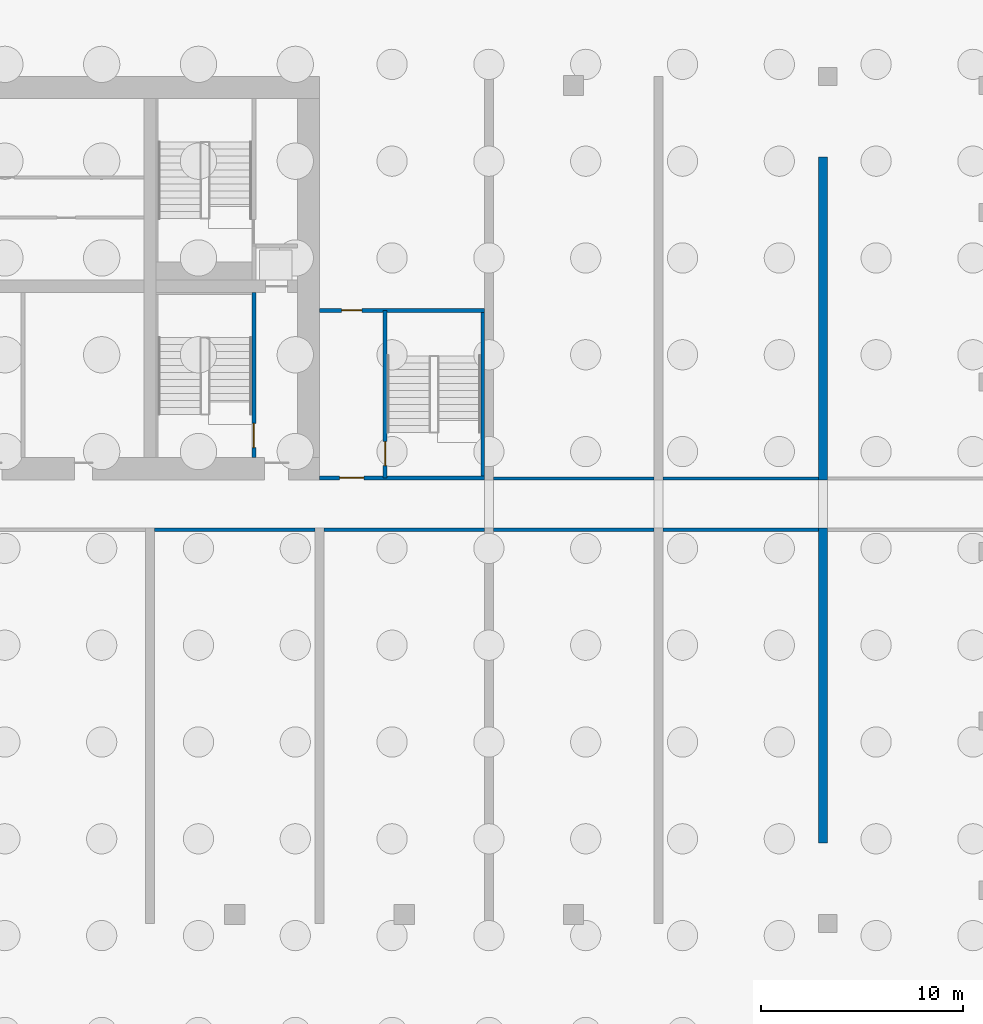
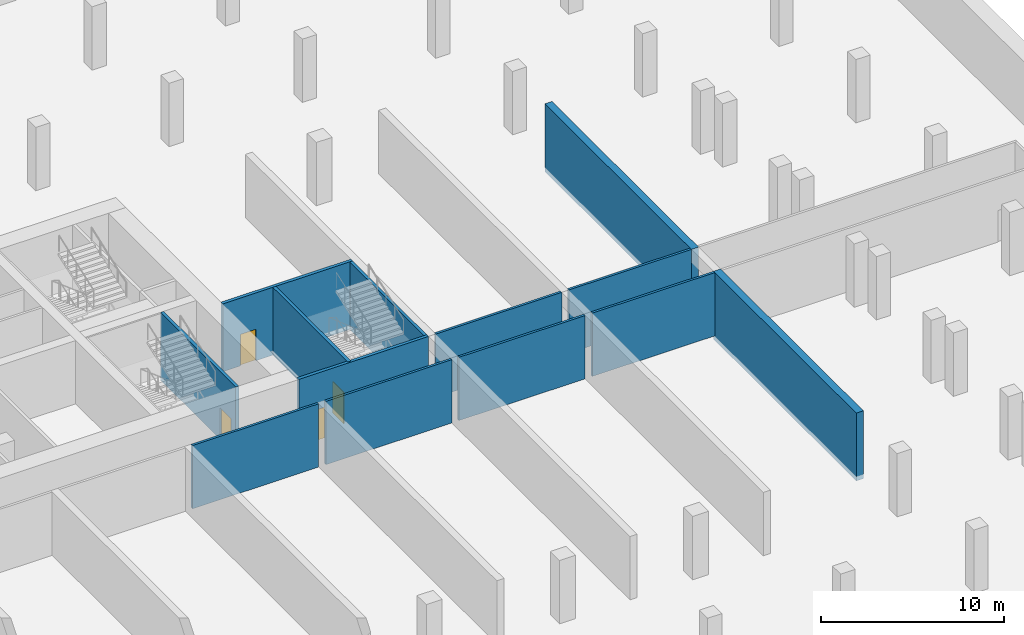
# One storey, part 8 of 17: 13 walls, 4 doors, 4 openings.
"""IFC4 building model written with IfcOpenShell, lengths in metres."""

from ifc_helpers import new_model, si_unit, direction, frame, frame_2d, origin, place, context, subcontext, project, spatial, rectangle, extrude, source, transform, mapped, material, layer, layer_set, type_object, element, fill, save


model = new_model("IFC4")

# Units and contexts
model_context = context("Model", 3, precision=1e-05, world=origin(), true_north=direction((0.0, 1.0)))
body_context = subcontext(model_context, "Body", "Model", "MODEL_VIEW")
ifc_project = project(units=[si_unit("LENGTHUNIT", "METRE"), si_unit("AREAUNIT", "SQUARE_METRE"), si_unit("VOLUMEUNIT", "CUBIC_METRE"), si_unit("PLANEANGLEUNIT", "RADIAN"), si_unit("MASSUNIT", "GRAM", prefix="KILO")], contexts=[model_context])

# Site, building, storey
site_placement = place(None, origin())
site = spatial("IfcSite", under=ifc_project, at=site_placement, CompositionType="ELEMENT")
building_placement = place(site_placement, origin())
building = spatial("IfcBuilding", under=site, at=building_placement, Name="Vanashikhar Sky Hotel", CompositionType="ELEMENT")
storey_placement = place(building_placement, frame((0.0, 0.0, -13.5)))
storey = spatial("IfcBuildingStorey", under=building, at=storey_placement, Name="B3", CompositionType="ELEMENT", Elevation=-13.5)

# Walls
ifc_material_1 = material(Name="Concrete M80", Category="concrete")
ifc_layer_1 = layer(ifc_material_1, 0.449951171875)
ifc_layer_set_1 = layer_set([ifc_layer_1], Name="RC shear wall 450 Concrete M80")
wall_type_1 = type_object("IfcWallType", Name="RC shear wall 450 Concrete M80", PredefinedType="SHEAR", material=ifc_layer_set_1)
shared_shape_1 = source(origin(), body_context, "Body", "SweptSolid", [
    extrude(rectangle(XDim=15.60009765625, YDim=0.449951171875, at=frame_2d((7.800048828125, 0.0))), origin(), (0.0, 0.0, 1.0), 4.52001953125),
])
wall_1_placement = place(storey_placement, frame((100.574951171875, 4.0, -0.300048828125), z_axis=(0.0, 0.0, 1.0), x_axis=(0.0, 1.0, 0.0)))
element("IfcWall", 1, at=wall_1_placement, inside=storey, type_object=wall_type_1, Name="CW-B3-XW13-1", PredefinedType="SHEAR", context=body_context, shape_type="MappedRepresentation", body=[
    mapped(shared_shape_1, transform((0.0, 0.0, 0.0), scale=1.0)),
])
shared_shape_2 = source(origin(), body_context, "Body", "SweptSolid", [
    extrude(rectangle(XDim=16.0, YDim=0.449951171875, at=frame_2d((8.0, 0.0))), origin(), (0.0, 0.0, 1.0), 4.52001953125),
])
wall_2_placement = place(storey_placement, frame((100.574951171875, 22.0, -0.300048828125), z_axis=(0.0, 0.0, 1.0), x_axis=(0.0, 1.0, 0.0)))
element("IfcWall", 2, at=wall_2_placement, inside=storey, type_object=wall_type_1, Name="CW-B3-XW13-2", PredefinedType="SHEAR", context=body_context, shape_type="MappedRepresentation", body=[
    mapped(shared_shape_2, transform((0.0, 0.0, 0.0), scale=1.0)),
])

# Wall, opening, door
ifc_material_2 = material(Name="Concrete M50", Category="concrete")
ifc_layer_2 = layer(ifc_material_2, 0.199951171875)
ifc_layer_set_2 = layer_set([ifc_layer_2], Name="Stair wall 200")
wall_type_2 = type_object("IfcWallType", Name="Stair wall 200", PredefinedType="SOLIDWALL", material=ifc_layer_set_2)
shared_shape_3 = source(origin(), body_context, "Body", "SweptSolid", [
    extrude(rectangle(XDim=8.199951171875, YDim=0.199951171875, at=frame_2d((4.10009765625, 0.0))), origin(), (0.0, 0.0, 1.0), 4.52001953125),
])
wall_3_placement = place(storey_placement, frame((72.35009765625, 23.10009765625, -0.300048828125), z_axis=(0.0, 0.0, 1.0), x_axis=(0.0, 1.0, 0.0)))
wall_3 = element("IfcWall", 3, at=wall_3_placement, inside=storey, type_object=wall_type_2, Name="Stair wall 200", PredefinedType="SOLIDWALL", context=body_context, shape_type="MappedRepresentation", body=[
    mapped(shared_shape_3, transform((0.0, 0.0, 0.0), scale=1.0)),
])
shared_shape_4 = source(origin(), body_context, "Body", "SweptSolid", [
    extrude(rectangle(XDim=1.199951171875, YDim=2.10009765625, at=frame_2d((0.60009765625, 1.050048828125))), frame((0.0, 0.10986328125, 0.0), z_axis=(0.0, -1.0, 0.0), x_axis=(1.0, 0.0, 0.0)), (0.0, 0.0, 1.0), 0.219970703125),
])
opening_1_placement = place(wall_3_placement, frame((0.5, 0.0, 0.0)))
opening_1 = element("IfcOpeningElement", 4, at=opening_1_placement, cuts=wall_3, Name="Opening DC-1", PredefinedType="OPENING", context=body_context, shape_type="MappedRepresentation", body=[
    mapped(shared_shape_4, transform((0.0, 0.0, 0.0), scale=1.0)),
])
ifc_material_3 = material(Name="Steel", Category="steel")
door_type_1 = type_object("IfcDoorType", Name="Stair door 1200 FD120", OperationType="NOTDEFINED", PredefinedType="DOOR", material=ifc_material_3)
shared_shape_5 = source(origin(), body_context, "Body", "SweptSolid", [
    extrude(rectangle(XDim=1.199951171875, YDim=2.10009765625, at=frame_2d((0.60009765625, 1.050048828125))), frame((0.0, 0.02490234375, 0.0), z_axis=(0.0, -1.0, 0.0), x_axis=(1.0, 0.0, 0.0)), (0.0, 0.0, 1.0), 0.050048828125),
])
door_1_placement = place(opening_1_placement, origin())
door_1 = element("IfcDoor", 5, at=door_1_placement, inside=storey, type_object=door_type_1, Name="Stair door 1200 FD120", OperationType="SINGLE_SWING_RIGHT", OverallHeight=2.10009765625, OverallWidth=1.199951171875, PredefinedType="DOOR", context=body_context, shape_type="MappedRepresentation", body=[
    mapped(shared_shape_5, transform((0.0, 0.0, 0.0), scale=1.0)),
])
fill(opening_1, door_1)

shared_shape_6 = source(origin(), body_context, "Body", "SweptSolid", [
    extrude(rectangle(XDim=8.2998046875, YDim=0.199951171875, at=frame_2d((4.14990234375, 0.0))), origin(), (0.0, 0.0, 1.0), 4.52001953125),
])
wall_4_placement = place(storey_placement, frame((78.85009765625, 22.10009765625, -0.300048828125), z_axis=(0.0, 0.0, 1.0), x_axis=(0.0, 1.0, 0.0)))
wall_4 = element("IfcWall", 6, at=wall_4_placement, inside=storey, type_object=wall_type_2, Name="Stair wall 200", PredefinedType="SOLIDWALL", context=body_context, shape_type="MappedRepresentation", body=[
    mapped(shared_shape_6, transform((0.0, 0.0, 0.0), scale=1.0)),
])
opening_2_placement = place(wall_4_placement, frame((0.60009765625, 0.0, 0.0)))
opening_2 = element("IfcOpeningElement", 7, at=opening_2_placement, cuts=wall_4, Name="Opening DC-1", PredefinedType="OPENING", context=body_context, shape_type="MappedRepresentation", body=[
    mapped(shared_shape_4, transform((0.0, 0.0, 0.0), scale=1.0)),
])
door_2_placement = place(opening_2_placement, origin())
door_2 = element("IfcDoor", 8, at=door_2_placement, inside=storey, type_object=door_type_1, Name="Stair door 1200 FD120", OperationType="SINGLE_SWING_RIGHT", OverallHeight=2.10009765625, OverallWidth=1.199951171875, PredefinedType="DOOR", context=body_context, shape_type="MappedRepresentation", body=[
    mapped(shared_shape_5, transform((0.0, 0.0, 0.0), scale=1.0)),
])
fill(opening_2, door_2)

shared_shape_7 = source(origin(), body_context, "Body", "SweptSolid", [
    extrude(rectangle(XDim=8.1748046875, YDim=0.199951171875, at=frame_2d((4.08740234375, 0.0))), origin(), (0.0, 0.0, 1.0), 4.52001953125),
])
wall_5_placement = place(storey_placement, frame((83.77490234375, 22.10009765625, -0.300048828125), z_axis=(0.0, 0.0, 1.0), x_axis=(-1.0, 0.0, 0.0)))
wall_5 = element("IfcWall", 9, at=wall_5_placement, inside=storey, type_object=wall_type_2, Name="Stair wall 200", PredefinedType="SOLIDWALL", context=body_context, shape_type="MappedRepresentation", body=[
    mapped(shared_shape_7, transform((0.0, 0.0, 0.0), scale=1.0)),
])
opening_3_placement = place(wall_5_placement, frame((5.97509765625, 0.0, 0.0)))
opening_3 = element("IfcOpeningElement", 10, at=opening_3_placement, cuts=wall_5, Name="Opening DC-2", PredefinedType="OPENING", context=body_context, shape_type="MappedRepresentation", body=[
    mapped(shared_shape_4, transform((0.0, 0.0, 0.0), scale=1.0)),
])
door_type_2 = type_object("IfcDoorType", Name="Firefighting lobby door 1200 FD120", OperationType="NOTDEFINED", PredefinedType="DOOR", material=ifc_material_3)
door_3_placement = place(opening_3_placement, origin())
door_3 = element("IfcDoor", 11, at=door_3_placement, inside=storey, type_object=door_type_2, Name="Firefighting lobby door 1200 FD120", OperationType="SINGLE_SWING_LEFT", OverallHeight=2.10009765625, OverallWidth=1.199951171875, PredefinedType="DOOR", context=body_context, shape_type="MappedRepresentation", body=[
    mapped(shared_shape_5, transform((0.0, 0.0, 0.0), scale=1.0)),
])
fill(opening_3, door_3)

wall_6_placement = place(storey_placement, frame((83.77490234375, 30.39990234375, -0.300048828125), z_axis=(0.0, 0.0, 1.0), x_axis=(-1.0, 0.0, 0.0)))
wall_6 = element("IfcWall", 12, at=wall_6_placement, inside=storey, type_object=wall_type_2, Name="Stair wall 200", PredefinedType="SOLIDWALL", context=body_context, shape_type="MappedRepresentation", body=[
    mapped(shared_shape_7, transform((0.0, 0.0, 0.0), scale=1.0)),
])
shared_shape_8 = source(origin(), body_context, "Body", "SweptSolid", [
    extrude(rectangle(XDim=1.0, YDim=2.10009765625, at=frame_2d((0.5, 1.050048828125))), frame((0.0, 0.10986328125, 0.0), z_axis=(0.0, -1.0, 0.0), x_axis=(1.0, 0.0, 0.0)), (0.0, 0.0, 1.0), 0.219970703125),
])
opening_4_placement = place(wall_6_placement, frame((6.074951171875, 0.0, 0.0)))
opening_4 = element("IfcOpeningElement", 13, at=opening_4_placement, cuts=wall_6, Name="Opening DC-6", PredefinedType="OPENING", context=body_context, shape_type="MappedRepresentation", body=[
    mapped(shared_shape_8, transform((0.0, 0.0, 0.0), scale=1.0)),
])
door_type_3 = type_object("IfcDoorType", Name="Pocket door 1000 FD60", OperationType="NOTDEFINED", PredefinedType="DOOR", material=ifc_material_3)
shared_shape_9 = source(origin(), body_context, "Body", "SweptSolid", [
    extrude(rectangle(XDim=1.0, YDim=2.10009765625, at=frame_2d((0.5, 1.050048828125))), frame((0.0, 0.02490234375, 0.0), z_axis=(0.0, -1.0, 0.0), x_axis=(1.0, 0.0, 0.0)), (0.0, 0.0, 1.0), 0.050048828125),
])
door_4_placement = place(opening_4_placement, origin())
door_4 = element("IfcDoor", 14, at=door_4_placement, inside=storey, type_object=door_type_3, Name="Pocket door 1000 FD60", OperationType="SINGLE_SWING_LEFT", OverallHeight=2.10009765625, OverallWidth=1.0, PredefinedType="DOOR", context=body_context, shape_type="MappedRepresentation", body=[
    mapped(shared_shape_9, transform((0.0, 0.0, 0.0), scale=1.0)),
])
fill(opening_4, door_4)

# Walls
ifc_layer_3 = layer(ifc_material_2, 0.175048828125)
ifc_layer_set_3 = layer_set([ifc_layer_3], Name="Stair infill wall 175")
wall_type_3 = type_object("IfcWallType", Name="Stair infill wall 175", PredefinedType="SOLIDWALL", material=ifc_layer_set_3)
shared_shape_10 = source(origin(), body_context, "Body", "SweptSolid", [
    extrude(rectangle(XDim=8.10009765625, YDim=0.175048828125, at=frame_2d((4.050048828125, 0.0))), origin(), (0.0, 0.0, 1.0), 4.52001953125),
])
wall_7_placement = place(storey_placement, frame((83.68798828125, 22.199951171875, -0.300048828125), z_axis=(0.0, 0.0, 1.0), x_axis=(0.0, 1.0, 0.0)))
element("IfcWall", 15, at=wall_7_placement, inside=storey, type_object=wall_type_3, Name="Stair infill wall 175", PredefinedType="SOLIDWALL", context=body_context, shape_type="MappedRepresentation", body=[
    mapped(shared_shape_10, transform((0.0, 0.0, 0.0), scale=1.0)),
])
ifc_material_4 = material(Name="Concrete M30", Category="concrete")
ifc_layer_4 = layer(ifc_material_4, 0.14990234375)
ifc_layer_set_4 = layer_set([ifc_layer_4], Name="Car park partition 150 mm")
wall_type_4 = type_object("IfcWallType", Name="Car park partition 150 mm", PredefinedType="PARTITIONING", material=ifc_layer_set_4)
shared_shape_11 = source(origin(), body_context, "Body", "SweptSolid", [
    extrude(rectangle(XDim=7.72509765625, YDim=0.14990234375, at=frame_2d((3.862548828125, 0.0))), origin(), (0.0, 0.0, 1.0), 4.219970703125),
])
for number, where, z_axis, x_axis, name in (
    (16, (92.625, 19.52490234375, 0.0), (0.0, 0.0, 1.0), (1.0, 0.0, 0.0), "Car park partition"),
    (17, (92.625, 22.074951171875, 0.0), (0.0, 0.0, 1.0), (1.0, 0.0, 0.0), "Car park partition"),
):
    element("IfcWall", number, at=place(storey_placement, frame(where, z_axis=z_axis, x_axis=x_axis)), inside=storey, type_object=wall_type_4, Name=name, PredefinedType="PARTITIONING", context=body_context, shape_type="MappedRepresentation", body=[
        mapped(shared_shape_11, transform((0.0, 0.0, 0.0), scale=1.0)),
    ])
shared_shape_12 = source(origin(), body_context, "Body", "SweptSolid", [
    extrude(rectangle(XDim=7.949951171875, YDim=0.14990234375, at=frame_2d((3.97509765625, 0.0))), origin(), (0.0, 0.0, 1.0), 4.219970703125),
])
for number, where, z_axis, x_axis, name in (
    (18, (67.425048828125, 19.52490234375, 0.0), (0.0, 0.0, 1.0), (1.0, 0.0, 0.0), "Car park partition"),
    (19, (75.824951171875, 19.52490234375, 0.0), (0.0, 0.0, 1.0), (1.0, 0.0, 0.0), "Car park partition"),
    (20, (84.22509765625, 19.52490234375, 0.0), (0.0, 0.0, 1.0), (1.0, 0.0, 0.0), "Car park partition"),
    (21, (84.22509765625, 22.074951171875, 0.0), (0.0, 0.0, 1.0), (1.0, 0.0, 0.0), "Car park partition"),
):
    element("IfcWall", number, at=place(storey_placement, frame(where, z_axis=z_axis, x_axis=x_axis)), inside=storey, type_object=wall_type_4, Name=name, PredefinedType="PARTITIONING", context=body_context, shape_type="MappedRepresentation", body=[
        mapped(shared_shape_12, transform((0.0, 0.0, 0.0), scale=1.0)),
    ])

save(model, "model.ifc")
